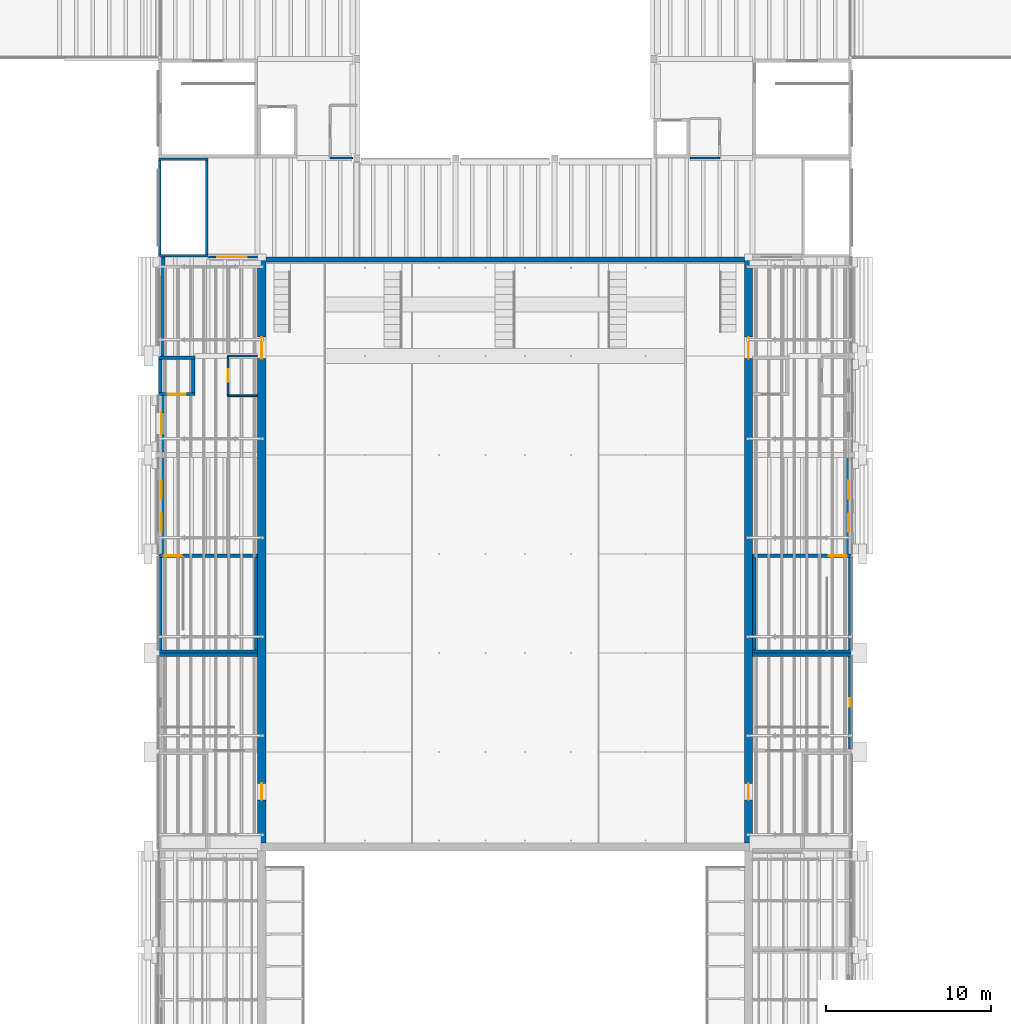
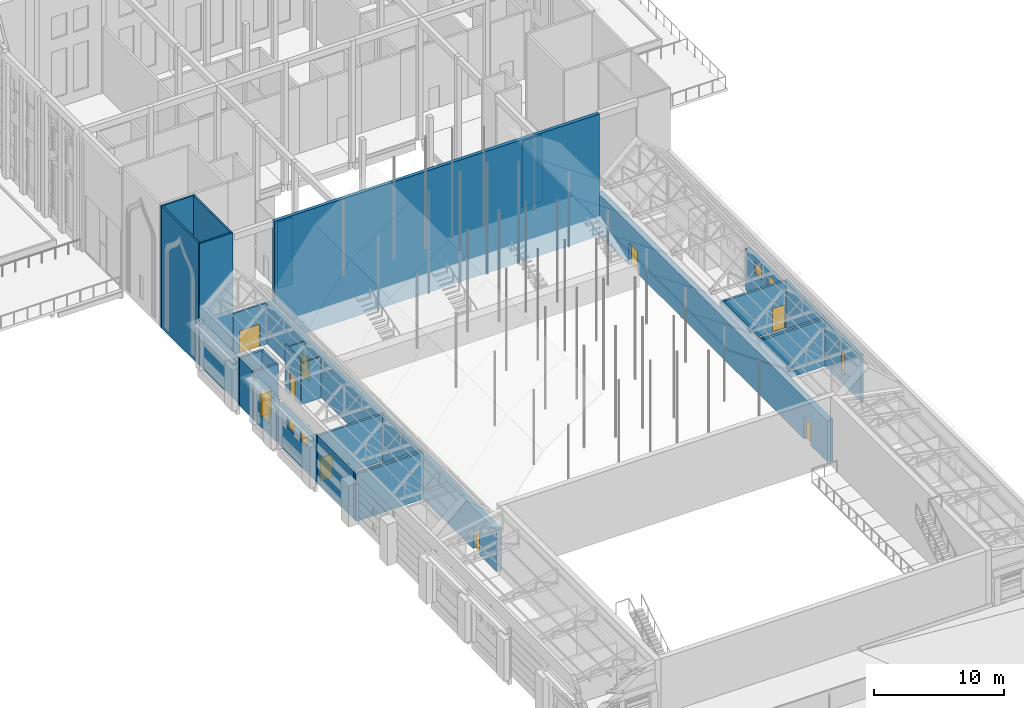
# One storey, part 63 of 118: 32 walls, 9 doors, 6 windows, 15 openings.
"""IFC4 building model written with IfcOpenShell, lengths in metres."""

import ifcopenshell
import ifcopenshell.guid

model = None  # the IFC model being written
_history = None  # IfcOwnerHistory: only IFC2X3 demands one
_inside = {}  # id of a spatial element -> (the spatial element, [elements in it])
_under = {}  # id of a project, library or spatial element -> (it, [spatial elements below it])
_declared = {}  # id of a project -> (the project, [libraries it declares])
_typed = {}  # id of a type object -> (the type object, [elements of that type])
_made_of = {}  # id of a material, layer set ... -> (it, [elements and type objects made of it])


def new_model(schema):
    """Start an empty IFC model of exactly this schema.

    Asked for "IFC4X3", IfcOpenShell would pick the latest addendum, in which some entities
    have other attributes; the version numbers below select the first issue.
    IFC2X3 requires an IfcOwnerHistory on every rooted entity: one is made here for all.
    """
    global model, _history
    if schema == "IFC4X3":
        model = ifcopenshell.file(schema_version=(4, 3, 0, 0))
    else:
        model = ifcopenshell.file(schema=schema)
    _inside.clear()
    _under.clear()
    _declared.clear()
    _typed.clear()
    _made_of.clear()
    _history = None
    if model.schema == "IFC2X3":
        org = make("IfcOrganization", Name="unknown")
        user = make(
            "IfcPersonAndOrganization",
            ThePerson=make("IfcPerson", FamilyName="unknown"),
            TheOrganization=org,
        )
        app = make(
            "IfcApplication",
            ApplicationDeveloper=org,
            Version="unknown",
            ApplicationFullName="unknown",
            ApplicationIdentifier="unknown",
        )
        _history = make(
            "IfcOwnerHistory",
            OwningUser=user,
            OwningApplication=app,
            ChangeAction="ADDED",
            CreationDate=0,
        )
    return model


def make(cls, **values):
    """One entity of the class cls with the attributes given. An attribute that is None is left unset."""
    return model.create_entity(
        cls, **{name: value for name, value in values.items() if value is not None}
    )


def rooted(cls, **values):
    """An entity with a GlobalId (a new one), such as an element, a storey or a relation."""
    return make(cls, GlobalId=ifcopenshell.guid.new(), OwnerHistory=_history, **values)


def si_unit(unit_type, name, prefix=None):
    """IfcSIUnit, for example si_unit("LENGTHUNIT", "METRE", prefix="MILLI")."""
    return make("IfcSIUnit", UnitType=unit_type, Prefix=prefix, Name=name)


def assignment(units):
    """IfcUnitAssignment: the units of a project."""
    return None if units is None else make("IfcUnitAssignment", Units=units)


def point(xyz):
    """IfcCartesianPoint."""
    return None if xyz is None else make("IfcCartesianPoint", Coordinates=xyz)


def direction(xyz):
    """IfcDirection."""
    return None if xyz is None else make("IfcDirection", DirectionRatios=xyz)


def frame(location, z_axis=None, x_axis=None):
    """IfcAxis2Placement3D, a coordinate frame: its origin and axes. An axis left out is left unset."""
    return make(
        "IfcAxis2Placement3D",
        Location=point(location),
        Axis=direction(z_axis),
        RefDirection=direction(x_axis),
    )


def frame_2d(location, x_axis=None):
    """IfcAxis2Placement2D, a coordinate frame in the plane: its origin and x axis."""
    return make(
        "IfcAxis2Placement2D", Location=point(location), RefDirection=direction(x_axis)
    )


def origin():
    """The frame at (0, 0, 0) with its axes left unset."""
    return frame((0.0, 0.0, 0.0))


def place(relative_to, where):
    """IfcLocalPlacement: puts the frame where relative to a parent placement (None: the world)."""
    return make(
        "IfcLocalPlacement", PlacementRelTo=relative_to, RelativePlacement=where
    )


def context(
    kind, dimensions, precision=None, world=None, true_north=None, identifier=None
):
    """IfcGeometricRepresentationContext, for example the 3D "Model" context."""
    return make(
        "IfcGeometricRepresentationContext",
        ContextIdentifier=identifier,
        ContextType=kind,
        CoordinateSpaceDimension=dimensions,
        Precision=precision,
        WorldCoordinateSystem=world,
        TrueNorth=true_north,
    )


def subcontext(parent, identifier, kind, view, scale=None):
    """IfcGeometricRepresentationSubContext, for example "Body" below "Model"."""
    return make(
        "IfcGeometricRepresentationSubContext",
        ContextIdentifier=identifier,
        ContextType=kind,
        ParentContext=parent,
        TargetScale=scale,
        TargetView=view,
    )


def project(units=None, contexts=None):
    """IfcProject with its units and contexts."""
    return rooted(
        "IfcProject",
        Name="project",
        RepresentationContexts=contexts,
        UnitsInContext=assignment(units),
    )


def spatial(cls, under=None, at=None, **own):
    """A site, building, storey or space (cls), placed at a placement, below another one or the project."""
    s = rooted(cls, ObjectPlacement=at, **own)
    if under is not None:
        _under.setdefault(under.id(), (under, []))[1].append(s)
    return s


def profile(cls, at=None, kind="AREA", **sizes):
    """A parametric profile (cls). Its sizes go by their IFC names, for example OverallWidth=200.0."""
    return make(cls, ProfileType=kind, Position=at, **sizes)


def rectangle(**sizes):
    """IfcRectangleProfileDef."""
    return profile("IfcRectangleProfileDef", **sizes)


def extrude(swept, where, along, depth):
    """IfcExtrudedAreaSolid: the profile swept, set in the frame where, extruded along a direction by depth."""
    return make(
        "IfcExtrudedAreaSolid",
        SweptArea=swept,
        Position=where,
        ExtrudedDirection=direction(along),
        Depth=depth,
    )


def shape(context_of_items, identifier, shape_type, items):
    """IfcShapeRepresentation: the items that make up one representation, for example the "Body"."""
    return make(
        "IfcShapeRepresentation",
        ContextOfItems=context_of_items,
        RepresentationIdentifier=identifier,
        RepresentationType=shape_type,
        Items=items,
    )


def material(Name=None, Category=None):
    """IfcMaterial."""
    return make("IfcMaterial", Name=Name, Category=Category)


def layer(
    of_material, thickness, ventilated=None, Name=None, Category=None, Priority=None
):
    """IfcMaterialLayer: one layer of a wall or slab, of a material (None: an air gap)."""
    return make(
        "IfcMaterialLayer",
        Material=of_material,
        LayerThickness=thickness,
        IsVentilated=ventilated,
        Name=Name,
        Category=Category,
        Priority=Priority,
    )


def layer_set(layers, Name=None):
    """IfcMaterialLayerSet."""
    return make("IfcMaterialLayerSet", MaterialLayers=layers, LayerSetName=Name)


def made_of(thing, what):
    """Note that an element or type object is made of a material, layer set ...; save() writes the relation."""
    if what is not None:
        _made_of.setdefault(what.id(), (what, []))[1].append(thing)
    return thing


def type_object(cls, material=None, **own):
    """A type object (cls), such as IfcWallType, which elements share."""
    return made_of(rooted(cls, **own), material)


def element(
    cls,
    number,
    at=None,
    inside=None,
    cuts=None,
    type_object=None,
    material=None,
    context=None,
    identifier="Body",
    shape_type=None,
    held_by="IfcProductDefinitionShape",
    body=None,
    shapes=None,
    **own,
):
    """One element of the class cls, such as IfcWall. Its Tag is "e" and its number.

    at: its placement. inside: the storey or other place that contains it. cuts: it is an
    opening in that element (IfcRelVoidsElement). A single representation is given by context,
    identifier, shape_type and body (its items); several are given by shapes. held_by: the class
    of the entity that holds the representations. save() writes the other relations.
    """
    e = rooted(cls, Tag="e%d" % number, ObjectPlacement=at, **own)
    if body is not None:
        shapes = [shape(context, identifier, shape_type, body)]
    if shapes is not None:
        e.Representation = make(held_by, Representations=shapes)
    if inside is not None:
        _inside.setdefault(inside.id(), (inside, []))[1].append(e)
    if cuts is not None:
        rooted(
            "IfcRelVoidsElement", RelatingBuildingElement=cuts, RelatedOpeningElement=e
        )
    if type_object is not None:
        _typed.setdefault(type_object.id(), (type_object, []))[1].append(e)
    return made_of(e, material)


def fill(opening, filler):
    """IfcRelFillsElement: the door or window that sits in an opening."""
    return rooted(
        "IfcRelFillsElement",
        RelatingOpeningElement=opening,
        RelatedBuildingElement=filler,
    )


def aggregate(whole, parts):
    """IfcRelAggregates: a whole, such as a stair, and the parts it consists of."""
    return rooted("IfcRelAggregates", RelatingObject=whole, RelatedObjects=parts)


def save(model, path):
    """Write the relations noted so far, then the file.

    IfcRelAggregates (storeys below a building ...), IfcRelContainedInSpatialStructure (elements
    in a storey), IfcRelDefinesByType, IfcRelAssociatesMaterial and IfcRelDeclares: one each for
    every whole, place, type object, material and project.
    """
    for whole, parts in _under.values():
        aggregate(whole, parts)
    for where, things in _inside.values():
        rooted(
            "IfcRelContainedInSpatialStructure",
            RelatedElements=things,
            RelatingStructure=where,
        )
    for kind, things in _typed.values():
        rooted("IfcRelDefinesByType", RelatedObjects=things, RelatingType=kind)
    for what, things in _made_of.values():
        rooted("IfcRelAssociatesMaterial", RelatedObjects=things, RelatingMaterial=what)
    for by, libraries in _declared.values():
        rooted("IfcRelDeclares", RelatingContext=by, RelatedDefinitions=libraries)
    model.write(path)


model = new_model("IFC4")

# Units and contexts
model_context = context("Model", 3, precision=1e-05, world=origin(), true_north=direction((0.0, 1.0)))
body_context = subcontext(model_context, "Body", "Model", "MODEL_VIEW")
ifc_project = project(units=[si_unit("LENGTHUNIT", "METRE"), si_unit("AREAUNIT", "SQUARE_METRE"), si_unit("VOLUMEUNIT", "CUBIC_METRE"), si_unit("PLANEANGLEUNIT", "RADIAN"), si_unit("MASSUNIT", "GRAM", prefix="KILO")], contexts=[model_context])

# Site, building, storey
site_placement = place(None, origin())
site = spatial("IfcSite", under=ifc_project, at=site_placement, CompositionType="ELEMENT")
building_placement = place(site_placement, origin())
building = spatial("IfcBuilding", under=site, at=building_placement, Name="Saffron Lane Theatres", CompositionType="ELEMENT")
storey_placement = place(building_placement, frame((0.0, 0.0, 16.5)))
storey = spatial("IfcBuildingStorey", under=building, at=storey_placement, Name="L03", CompositionType="ELEMENT", Elevation=16.5)

# Wall, openings, windows
ifc_material_1 = material(Name="Masonry pale clay brick", Category="masonry")
ifc_layer_1 = layer(ifc_material_1, 0.35009765625)
ifc_layer_set_1 = layer_set([ifc_layer_1], Name="Masonry pale clay brick")
wall_type_1 = type_object("IfcWallType", Name="EX-WALL BRICK 350", PredefinedType="SOLIDWALL", material=ifc_layer_set_1)
wall_1_placement = place(storey_placement, frame((53.824951171875, 77.800048828125, 0.0), z_axis=(0.0, 0.0, 1.0), x_axis=(0.0, -1.0, 0.0)))
wall_1 = element("IfcWall", 1, at=wall_1_placement, inside=storey, type_object=wall_type_1, Name="External wall L03 17", PredefinedType="SOLIDWALL", context=body_context, shape_type="SweptSolid", body=[
    extrude(rectangle(XDim=5.800048828125, YDim=0.35009765625, at=frame_2d((2.89990234375, 0.0))), origin(), (0.0, 0.0, 1.0), 3.89990234375),
])
opening_1_placement = place(wall_1_placement, frame((1.35009765625, 0.0, 2.39990234375)))
opening_1 = element("IfcOpeningElement", 2, at=opening_1_placement, cuts=wall_1, Name="Opening WN03-034", PredefinedType="OPENING", context=body_context, shape_type="SweptSolid", body=[
    extrude(rectangle(XDim=1.10009765625, YDim=1.10009765625, at=frame_2d((0.550048828125, 0.550048828125))), frame((0.0, 0.18505859375, 0.0), z_axis=(0.0, -1.0, 0.0), x_axis=(1.0, 0.0, 0.0)), (0.0, 0.0, 1.0), 0.3701171875),
])
opening_2_placement = place(wall_1_placement, frame((3.35009765625, 0.0, 2.39990234375)))
opening_2 = element("IfcOpeningElement", 3, at=opening_2_placement, cuts=wall_1, Name="Opening WN03-035", PredefinedType="OPENING", context=body_context, shape_type="SweptSolid", body=[
    extrude(rectangle(XDim=1.10009765625, YDim=1.10009765625, at=frame_2d((0.550048828125, 0.550048828125))), frame((0.0, 0.18505859375, 0.0), z_axis=(0.0, -1.0, 0.0), x_axis=(1.0, 0.0, 0.0)), (0.0, 0.0, 1.0), 0.3701171875),
])
ifc_material_2 = material(Name="Aluminium", Category="aluminium")
window_type_1 = type_object("IfcWindowType", Name="EX-WINDOW 1100x1100", PartitioningType="SINGLE_PANEL", PredefinedType="WINDOW", material=ifc_material_2)
window_1_placement = place(opening_1_placement, origin())
window_1 = element("IfcWindow", 4, at=window_1_placement, inside=storey, type_object=window_type_1, Name="Window L03 034", OverallHeight=1.10009765625, OverallWidth=1.10009765625, PartitioningType="SINGLE_PANEL", PredefinedType="WINDOW", context=body_context, shape_type="SweptSolid", body=[
    extrude(rectangle(XDim=1.10009765625, YDim=1.10009765625, at=frame_2d((0.550048828125, 0.550048828125))), frame((0.0, 0.030029296875, 0.0), z_axis=(0.0, -1.0, 0.0), x_axis=(1.0, 0.0, 0.0)), (0.0, 0.0, 1.0), 0.06005859375),
])
fill(opening_1, window_1)
window_2_placement = place(opening_2_placement, origin())
window_2 = element("IfcWindow", 5, at=window_2_placement, inside=storey, type_object=window_type_1, Name="Window L03 035", OverallHeight=1.10009765625, OverallWidth=1.10009765625, PartitioningType="SINGLE_PANEL", PredefinedType="WINDOW", context=body_context, shape_type="SweptSolid", body=[
    extrude(rectangle(XDim=1.10009765625, YDim=1.10009765625, at=frame_2d((0.550048828125, 0.550048828125))), frame((0.0, 0.030029296875, 0.0), z_axis=(0.0, -1.0, 0.0), x_axis=(1.0, 0.0, 0.0)), (0.0, 0.0, 1.0), 0.06005859375),
])
fill(opening_2, window_2)

wall_2_placement = place(storey_placement, frame((12.175048828125, 72.0, 0.0), z_axis=(0.0, 0.0, 1.0), x_axis=(0.0, 1.0, 0.0)))
wall_2 = element("IfcWall", 6, at=wall_2_placement, inside=storey, type_object=wall_type_1, Name="External wall L03 26", PredefinedType="SOLIDWALL", context=body_context, shape_type="SweptSolid", body=[
    extrude(rectangle(XDim=5.800048828125, YDim=0.35009765625, at=frame_2d((2.89990234375, 0.0))), origin(), (0.0, 0.0, 1.0), 3.89990234375),
])
opening_3_placement = place(wall_2_placement, frame((1.35009765625, 0.0, 2.39990234375)))
opening_3 = element("IfcOpeningElement", 7, at=opening_3_placement, cuts=wall_2, Name="Opening WN03-042", PredefinedType="OPENING", context=body_context, shape_type="SweptSolid", body=[
    extrude(rectangle(XDim=1.10009765625, YDim=1.10009765625, at=frame_2d((0.550048828125, 0.550048828125))), frame((0.0, 0.18505859375, 0.0), z_axis=(0.0, -1.0, 0.0), x_axis=(1.0, 0.0, 0.0)), (0.0, 0.0, 1.0), 0.3701171875),
])
opening_4_placement = place(wall_2_placement, frame((3.35009765625, 0.0, 2.39990234375)))
opening_4 = element("IfcOpeningElement", 8, at=opening_4_placement, cuts=wall_2, Name="Opening WN03-043", PredefinedType="OPENING", context=body_context, shape_type="SweptSolid", body=[
    extrude(rectangle(XDim=1.10009765625, YDim=1.10009765625, at=frame_2d((0.550048828125, 0.550048828125))), frame((0.0, 0.18505859375, 0.0), z_axis=(0.0, -1.0, 0.0), x_axis=(1.0, 0.0, 0.0)), (0.0, 0.0, 1.0), 0.3701171875),
])
window_3_placement = place(opening_3_placement, origin())
window_3 = element("IfcWindow", 9, at=window_3_placement, inside=storey, type_object=window_type_1, Name="Window L03 042", OverallHeight=1.10009765625, OverallWidth=1.10009765625, PartitioningType="SINGLE_PANEL", PredefinedType="WINDOW", context=body_context, shape_type="SweptSolid", body=[
    extrude(rectangle(XDim=1.10009765625, YDim=1.10009765625, at=frame_2d((0.550048828125, 0.550048828125))), frame((0.0, 0.030029296875, 0.0), z_axis=(0.0, -1.0, 0.0), x_axis=(1.0, 0.0, 0.0)), (0.0, 0.0, 1.0), 0.06005859375),
])
fill(opening_3, window_3)
window_4_placement = place(opening_4_placement, origin())
window_4 = element("IfcWindow", 10, at=window_4_placement, inside=storey, type_object=window_type_1, Name="Window L03 043", OverallHeight=1.10009765625, OverallWidth=1.10009765625, PartitioningType="SINGLE_PANEL", PredefinedType="WINDOW", context=body_context, shape_type="SweptSolid", body=[
    extrude(rectangle(XDim=1.10009765625, YDim=1.10009765625, at=frame_2d((0.550048828125, 0.550048828125))), frame((0.0, 0.030029296875, 0.0), z_axis=(0.0, -1.0, 0.0), x_axis=(1.0, 0.0, 0.0)), (0.0, 0.0, 1.0), 0.06005859375),
])
fill(opening_4, window_4)

# Wall, opening, window
wall_3_placement = place(storey_placement, frame((12.175048828125, 78.199951171875, 0.0), z_axis=(0.0, 0.0, 1.0), x_axis=(0.0, 1.0, 0.0)))
wall_3 = element("IfcWall", 11, at=wall_3_placement, inside=storey, type_object=wall_type_1, Name="External wall L03 27", PredefinedType="SOLIDWALL", context=body_context, shape_type="SweptSolid", body=[
    extrude(rectangle(XDim=3.400146484375, YDim=0.35009765625, at=frame_2d((1.7001953125, 0.0))), origin(), (0.0, 0.0, 1.0), 3.89990234375),
])
opening_5_placement = place(wall_3_placement, frame((1.02490234375, 0.0, 1.0)))
opening_5 = element("IfcOpeningElement", 12, at=opening_5_placement, cuts=wall_3, Name="Opening WN03-044", PredefinedType="OPENING", context=body_context, shape_type="SweptSolid", body=[
    extrude(rectangle(XDim=1.35009765625, YDim=2.699951171875, at=frame_2d((0.675048828125, 1.35009765625))), frame((0.0, 0.18505859375, 0.0), z_axis=(0.0, -1.0, 0.0), x_axis=(1.0, 0.0, 0.0)), (0.0, 0.0, 1.0), 0.3701171875),
])
ifc_material_3 = material(Name="Aluminium", Category="aluminium")
window_type_2 = type_object("IfcWindowType", Name="EX-WINDOW 1350x2700", PartitioningType="SINGLE_PANEL", PredefinedType="WINDOW", material=ifc_material_3)
window_5_placement = place(opening_5_placement, origin())
window_5 = element("IfcWindow", 13, at=window_5_placement, inside=storey, type_object=window_type_2, Name="Window L03 044", OverallHeight=2.699951171875, OverallWidth=1.35009765625, PartitioningType="SINGLE_PANEL", PredefinedType="WINDOW", context=body_context, shape_type="SweptSolid", body=[
    extrude(rectangle(XDim=1.35009765625, YDim=2.699951171875, at=frame_2d((0.675048828125, 1.35009765625))), frame((0.0, 0.030029296875, 0.0), z_axis=(0.0, -1.0, 0.0), x_axis=(1.0, 0.0, 0.0)), (0.0, 0.0, 1.0), 0.06005859375),
])
fill(opening_5, window_5)

# Walls
wall_4_placement = place(storey_placement, frame((12.22509765625, 84.0, 0.0), z_axis=(0.0, 0.0, 1.0), x_axis=(0.0, 1.0, 0.0)))
element("IfcWall", 14, at=wall_4_placement, inside=storey, type_object=wall_type_1, Name="External wall L03 28", PredefinedType="SOLIDWALL", context=body_context, shape_type="SweptSolid", body=[
    extrude(rectangle(XDim=6.0, YDim=0.35009765625, at=frame_2d((3.0, 0.0))), origin(), (0.0, 0.0, 1.0), 3.89990234375),
])
ifc_material_4 = material(Name="Masonry block partition", Category="masonry")
ifc_layer_2 = layer(ifc_material_4, 0.110107421875)
ifc_layer_set_2 = layer_set([ifc_layer_2], Name="Masonry block partition")
wall_type_2 = type_object("IfcWallType", Name="IN-BLOCK PARTITION 110", PredefinedType="PARTITIONING", material=ifc_layer_set_2)
wall_5_placement = place(storey_placement, frame((16.199951171875, 84.0, 0.0), z_axis=(0.0, 0.0, 1.0), x_axis=(1.0, 0.0, 0.0)))
element("IfcWall", 15, at=wall_5_placement, inside=storey, type_object=wall_type_2, Name="PW-L03-033", PredefinedType="PARTITIONING", context=body_context, shape_type="SweptSolid", body=[
    extrude(rectangle(XDim=1.780029296875, YDim=0.110107421875, at=frame_2d((0.89013671875, 0.0))), origin(), (0.0, 0.0, 1.0), 3.89990234375),
])

# Wall, opening, door
wall_6_placement = place(storey_placement, frame((16.199951171875, 81.60009765625, 0.0), z_axis=(0.0, 0.0, 1.0), x_axis=(0.0, 1.0, 0.0)))
wall_6 = element("IfcWall", 16, at=wall_6_placement, inside=storey, type_object=wall_type_2, Name="PW-L03-034", PredefinedType="PARTITIONING", context=body_context, shape_type="SweptSolid", body=[
    extrude(rectangle(XDim=2.39990234375, YDim=0.110107421875, at=frame_2d((1.199951171875, 0.0))), origin(), (0.0, 0.0, 1.0), 4.280029296875),
])
opening_6_placement = place(wall_6_placement, frame((0.85009765625, 0.0, 0.0)))
opening_6 = element("IfcOpeningElement", 17, at=opening_6_placement, cuts=wall_6, Name="Opening D03-24", PredefinedType="OPENING", context=body_context, shape_type="SweptSolid", body=[
    extrude(rectangle(XDim=0.75, YDim=2.0400390625, at=frame_2d((0.375, 1.02001953125))), frame((0.0, 0.06494140625, 0.0), z_axis=(0.0, -1.0, 0.0), x_axis=(1.0, 0.0, 0.0)), (0.0, 0.0, 1.0), 0.130126953125),
])
ifc_material_5 = material(Name="Steel faced fire door leaf", Category="steel")
door_type_1 = type_object("IfcDoorType", Name="IN-DOOR 750x2040 FD60", OperationType="NOTDEFINED", PredefinedType="DOOR", material=ifc_material_5)
door_1_placement = place(opening_6_placement, frame((0.75, 0.0, 0.0), z_axis=(0.0, 0.0, 1.0), x_axis=(-1.0, 0.0, 0.0)))
door_1 = element("IfcDoor", 18, at=door_1_placement, inside=storey, type_object=door_type_1, Name="D03-24", OperationType="SINGLE_SWING_RIGHT", OverallHeight=2.0400390625, OverallWidth=0.75, PredefinedType="DOOR", context=body_context, shape_type="SweptSolid", body=[
    extrude(rectangle(XDim=0.75, YDim=2.0400390625, at=frame_2d((0.375, 1.02001953125))), frame((0.0, 0.02490234375, 0.0), z_axis=(0.0, -1.0, 0.0), x_axis=(1.0, 0.0, 0.0)), (0.0, 0.0, 1.0), 0.050048828125),
])
fill(opening_6, door_1)

# Walls
wall_7_placement = place(storey_placement, frame((16.199951171875, 81.60009765625, 0.0), z_axis=(0.0, 0.0, 1.0), x_axis=(1.0, 0.0, 0.0)))
element("IfcWall", 19, at=wall_7_placement, inside=storey, type_object=wall_type_2, Name="PW-L03-035", PredefinedType="PARTITIONING", context=body_context, shape_type="SweptSolid", body=[
    extrude(rectangle(XDim=1.780029296875, YDim=0.110107421875, at=frame_2d((0.89013671875, 0.0))), origin(), (0.0, 0.0, 1.0), 3.89990234375),
])
wall_8_placement = place(storey_placement, frame((22.39990234375, 96.0, 0.0), z_axis=(0.0, 0.0, 1.0), x_axis=(1.0, 0.0, 0.0)))
element("IfcWall", 20, at=wall_8_placement, inside=storey, type_object=wall_type_2, Name="PW-L03-043", PredefinedType="PARTITIONING", context=body_context, shape_type="SweptSolid", body=[
    extrude(rectangle(XDim=1.380126953125, YDim=0.110107421875, at=frame_2d((0.68994140625, 0.0))), origin(), (0.0, 0.0, 1.0), 6.280029296875),
])
wall_9_placement = place(storey_placement, frame((44.219970703125, 96.0, 0.0), z_axis=(0.0, 0.0, 1.0), x_axis=(1.0, 0.0, 0.0)))
element("IfcWall", 21, at=wall_9_placement, inside=storey, type_object=wall_type_2, Name="PW-L03-044", PredefinedType="PARTITIONING", context=body_context, shape_type="SweptSolid", body=[
    extrude(rectangle(XDim=1.780029296875, YDim=0.110107421875, at=frame_2d((0.89013671875, 0.0))), origin(), (0.0, 0.0, 1.0), 6.280029296875),
])

# Wall, opening, door
ifc_material_6 = material(Name="Masonry block partition", Category="masonry")
ifc_layer_3 = layer(ifc_material_6, 0.139892578125)
ifc_layer_set_3 = layer_set([ifc_layer_3], Name="Masonry block partition")
wall_type_3 = type_object("IfcWallType", Name="IN-BLOCK PARTITION 140", PredefinedType="PARTITIONING", material=ifc_layer_set_3)
wall_10_placement = place(storey_placement, frame((15.02001953125, 90.0, 0.0), z_axis=(0.0, 0.0, 1.0), x_axis=(1.0, 0.0, 0.0)))
wall_10 = element("IfcWall", 22, at=wall_10_placement, inside=storey, type_object=wall_type_3, Name="PW-L03-047", PredefinedType="PARTITIONING", context=body_context, shape_type="SweptSolid", body=[
    extrude(rectangle(XDim=2.9599609375, YDim=0.139892578125, at=frame_2d((1.47998046875, 0.0))), origin(), (0.0, 0.0, 1.0), 3.89990234375),
])
opening_7_placement = place(wall_10_placement, frame((0.530029296875, 0.0, 0.0)))
opening_7 = element("IfcOpeningElement", 23, at=opening_7_placement, cuts=wall_10, Name="Opening D03-30", PredefinedType="OPENING", context=body_context, shape_type="SweptSolid", body=[
    extrude(rectangle(XDim=1.800048828125, YDim=2.10009765625, at=frame_2d((0.89990234375, 1.050048828125))), frame((0.0, 0.080078125, 0.0), z_axis=(0.0, -1.0, 0.0), x_axis=(1.0, 0.0, 0.0)), (0.0, 0.0, 1.0), 0.159912109375),
])
ifc_material_7 = material(Name="Steel faced fire door leaf", Category="steel")
door_type_2 = type_object("IfcDoorType", Name="IN-DOOR 1800x2100 FD120", OperationType="DOUBLE_DOOR_SINGLE_SWING", PredefinedType="DOOR", material=ifc_material_7)
door_2_placement = place(opening_7_placement, frame((1.800048828125, 0.0, 0.0), z_axis=(0.0, 0.0, 1.0), x_axis=(-1.0, 0.0, 0.0)))
door_2 = element("IfcDoor", 24, at=door_2_placement, inside=storey, type_object=door_type_2, Name="D03-30", OperationType="DOUBLE_DOOR_SINGLE_SWING", OverallHeight=2.10009765625, OverallWidth=1.800048828125, PredefinedType="DOOR", context=body_context, shape_type="SweptSolid", body=[
    extrude(rectangle(XDim=1.800048828125, YDim=2.10009765625, at=frame_2d((0.89990234375, 1.050048828125))), frame((0.0, 0.02490234375, 0.0), z_axis=(0.0, -1.0, 0.0), x_axis=(1.0, 0.0, 0.0)), (0.0, 0.0, 1.0), 0.050048828125),
])
fill(opening_7, door_2)

# Walls
ifc_material_8 = material(Name="Concrete N50 (50 MPa)", Category="concrete")
ifc_layer_4 = layer(ifc_material_8, 0.14990234375)
ifc_layer_set_4 = layer_set([ifc_layer_4], Name="Concrete N50 (50 MPa)")
wall_type_4 = type_object("IfcWallType", Name="RC-CORE 150", PredefinedType="SHEAR", material=ifc_layer_set_4)
for number, where, z_axis, x_axis, name in (
    (25, (12.0, 95.925048828125, 0.0), (0.0, 0.0, 1.0), (1.0, 0.0, 0.0), "W-R1-N-L03"),
    (26, (12.0, 90.074951171875, 0.0), (0.0, 0.0, 1.0), (1.0, 0.0, 0.0), "W-R1-S-L03"),
):
    element("IfcWall", number, at=place(storey_placement, frame(where, z_axis=z_axis, x_axis=x_axis)), inside=storey, type_object=wall_type_4, Name=name, PredefinedType="SHEAR", context=body_context, shape_type="SweptSolid", body=[
        extrude(rectangle(XDim=3.0, YDim=0.14990234375, at=frame_2d((1.5, 0.0))), origin(), (0.0, 0.0, 1.0), 11.5),
    ])
wall_11_placement = place(storey_placement, frame((14.925048828125, 90.14990234375, 0.0), z_axis=(0.0, 0.0, 1.0), x_axis=(0.0, 1.0, 0.0)))
element("IfcWall", 27, at=wall_11_placement, inside=storey, type_object=wall_type_4, Name="W-R1-E-L03", PredefinedType="SHEAR", context=body_context, shape_type="SweptSolid", body=[
    extrude(rectangle(XDim=5.7001953125, YDim=0.14990234375, at=frame_2d((2.85009765625, 0.0))), origin(), (0.0, 0.0, 1.0), 11.5),
])

# Wall, opening, door
ifc_material_9 = material(Name="Concrete N50 (50 MPa)", Category="concrete")
ifc_layer_5 = layer(ifc_material_9, 0.199951171875)
ifc_layer_set_5 = layer_set([ifc_layer_5], Name="Concrete N50 (50 MPa)")
wall_type_5 = type_object("IfcWallType", Name="RC-CORE 200", PredefinedType="SHEAR", material=ifc_layer_set_5)
wall_12_placement = place(storey_placement, frame((12.0, 71.89990234375, 0.0), z_axis=(0.0, 0.0, 1.0), x_axis=(1.0, 0.0, 0.0)))
wall_12 = element("IfcWall", 28, at=wall_12_placement, inside=storey, type_object=wall_type_5, Name="W-ST3-N-L03", PredefinedType="SHEAR", context=body_context, shape_type="SweptSolid", body=[
    extrude(rectangle(XDim=6.0, YDim=0.199951171875, at=frame_2d((3.0, 0.0))), origin(), (0.0, 0.0, 1.0), 4.422119140625),
])
opening_8_placement = place(wall_12_placement, frame((0.300048828125, 0.0, 0.0)))
opening_8 = element("IfcOpeningElement", 29, at=opening_8_placement, cuts=wall_12, Name="Opening D03-14", PredefinedType="OPENING", context=body_context, shape_type="SweptSolid", body=[
    extrude(rectangle(XDim=1.10009765625, YDim=2.199951171875, at=frame_2d((0.550048828125, 1.10009765625))), frame((0.0, 0.10986328125, 0.0), z_axis=(0.0, -1.0, 0.0), x_axis=(1.0, 0.0, 0.0)), (0.0, 0.0, 1.0), 0.219970703125),
])
ifc_material_10 = material(Name="Steel faced fire door leaf", Category="steel")
door_type_3 = type_object("IfcDoorType", Name="IN-DOOR 1100x2200 FD120", OperationType="NOTDEFINED", PredefinedType="DOOR", material=ifc_material_10)
door_3_placement = place(opening_8_placement, frame((1.10009765625, 0.0, 0.0), z_axis=(0.0, 0.0, 1.0), x_axis=(-1.0, 0.0, 0.0)))
door_3 = element("IfcDoor", 30, at=door_3_placement, inside=storey, type_object=door_type_3, Name="D03-14", OperationType="SINGLE_SWING_LEFT", OverallHeight=2.199951171875, OverallWidth=1.10009765625, PredefinedType="DOOR", context=body_context, shape_type="SweptSolid", body=[
    extrude(rectangle(XDim=1.10009765625, YDim=2.199951171875, at=frame_2d((0.550048828125, 1.10009765625))), frame((0.0, 0.02490234375, 0.0), z_axis=(0.0, -1.0, 0.0), x_axis=(1.0, 0.0, 0.0)), (0.0, 0.0, 1.0), 0.050048828125),
])
fill(opening_8, door_3)

# Walls
wall_13_placement = place(storey_placement, frame((12.0, 66.10009765625, 0.0), z_axis=(0.0, 0.0, 1.0), x_axis=(1.0, 0.0, 0.0)))
element("IfcWall", 31, at=wall_13_placement, inside=storey, type_object=wall_type_5, Name="W-ST3-S-L03", PredefinedType="SHEAR", context=body_context, shape_type="SweptSolid", body=[
    extrude(rectangle(XDim=6.0, YDim=0.199951171875, at=frame_2d((3.0, 0.0))), origin(), (0.0, 0.0, 1.0), 4.422119140625),
])
wall_14_placement = place(storey_placement, frame((17.89990234375, 66.199951171875, 0.0), z_axis=(0.0, 0.0, 1.0), x_axis=(0.0, 1.0, 0.0)))
element("IfcWall", 32, at=wall_14_placement, inside=storey, type_object=wall_type_5, Name="W-ST3-E-L03", PredefinedType="SHEAR", context=body_context, shape_type="SweptSolid", body=[
    extrude(rectangle(XDim=5.60009765625, YDim=0.199951171875, at=frame_2d((2.800048828125, 0.0))), origin(), (0.0, 0.0, 1.0), 4.422119140625),
])

# Wall, opening, door
wall_15_placement = place(storey_placement, frame((48.0, 71.89990234375, 0.0), z_axis=(0.0, 0.0, 1.0), x_axis=(1.0, 0.0, 0.0)))
wall_15 = element("IfcWall", 33, at=wall_15_placement, inside=storey, type_object=wall_type_5, Name="W-ST4-N-L03", PredefinedType="SHEAR", context=body_context, shape_type="SweptSolid", body=[
    extrude(rectangle(XDim=6.0, YDim=0.199951171875, at=frame_2d((3.0, 0.0))), origin(), (0.0, 0.0, 1.0), 4.422119140625),
])
opening_9_placement = place(wall_15_placement, frame((4.60009765625, 0.0, 0.0)))
opening_9 = element("IfcOpeningElement", 34, at=opening_9_placement, cuts=wall_15, Name="Opening D03-15", PredefinedType="OPENING", context=body_context, shape_type="SweptSolid", body=[
    extrude(rectangle(XDim=1.10009765625, YDim=2.199951171875, at=frame_2d((0.550048828125, 1.10009765625))), frame((0.0, 0.10986328125, 0.0), z_axis=(0.0, -1.0, 0.0), x_axis=(1.0, 0.0, 0.0)), (0.0, 0.0, 1.0), 0.219970703125),
])
door_4_placement = place(opening_9_placement, frame((1.10009765625, 0.0, 0.0), z_axis=(0.0, 0.0, 1.0), x_axis=(-1.0, 0.0, 0.0)))
door_4 = element("IfcDoor", 35, at=door_4_placement, inside=storey, type_object=door_type_3, Name="D03-15", OperationType="SINGLE_SWING_RIGHT", OverallHeight=2.199951171875, OverallWidth=1.10009765625, PredefinedType="DOOR", context=body_context, shape_type="SweptSolid", body=[
    extrude(rectangle(XDim=1.10009765625, YDim=2.199951171875, at=frame_2d((0.550048828125, 1.10009765625))), frame((0.0, 0.02490234375, 0.0), z_axis=(0.0, -1.0, 0.0), x_axis=(1.0, 0.0, 0.0)), (0.0, 0.0, 1.0), 0.050048828125),
])
fill(opening_9, door_4)

# Walls
wall_16_placement = place(storey_placement, frame((48.0, 66.10009765625, 0.0), z_axis=(0.0, 0.0, 1.0), x_axis=(1.0, 0.0, 0.0)))
element("IfcWall", 36, at=wall_16_placement, inside=storey, type_object=wall_type_5, Name="W-ST4-S-L03", PredefinedType="SHEAR", context=body_context, shape_type="SweptSolid", body=[
    extrude(rectangle(XDim=6.0, YDim=0.199951171875, at=frame_2d((3.0, 0.0))), origin(), (0.0, 0.0, 1.0), 4.422119140625),
])
wall_17_placement = place(storey_placement, frame((48.10009765625, 66.199951171875, 0.0), z_axis=(0.0, 0.0, 1.0), x_axis=(0.0, 1.0, 0.0)))
element("IfcWall", 37, at=wall_17_placement, inside=storey, type_object=wall_type_5, Name="W-ST4-W-L03", PredefinedType="SHEAR", context=body_context, shape_type="SweptSolid", body=[
    extrude(rectangle(XDim=5.60009765625, YDim=0.199951171875, at=frame_2d((2.800048828125, 0.0))), origin(), (0.0, 0.0, 1.0), 4.422119140625),
])
for number, where, z_axis, x_axis, name in (
    (38, (12.0, 65.89990234375, 0.0), (0.0, 0.0, 1.0), (1.0, 0.0, 0.0), "W-ST10-N-L03"),
    (39, (48.0, 65.89990234375, 0.0), (0.0, 0.0, 1.0), (1.0, 0.0, 0.0), "W-ST11-N-L03"),
):
    element("IfcWall", number, at=place(storey_placement, frame(where, z_axis=z_axis, x_axis=x_axis)), inside=storey, type_object=wall_type_5, Name=name, PredefinedType="SHEAR", context=body_context, shape_type="SweptSolid", body=[
        extrude(rectangle(XDim=6.0, YDim=0.199951171875, at=frame_2d((3.0, 0.0))), origin(), (0.0, 0.0, 1.0), 4.422119140625),
    ])
wall_18_placement = place(storey_placement, frame((12.0, 83.89990234375, 0.0), z_axis=(0.0, 0.0, 1.0), x_axis=(1.0, 0.0, 0.0)))
element("IfcWall", 40, at=wall_18_placement, inside=storey, type_object=wall_type_5, Name="W-LC3-N-L03", PredefinedType="SHEAR", context=body_context, shape_type="SweptSolid", body=[
    extrude(rectangle(XDim=2.199951171875, YDim=0.199951171875, at=frame_2d((1.10009765625, 0.0))), origin(), (0.0, 0.0, 1.0), 4.5),
])

# Wall, opening, door
wall_19_placement = place(storey_placement, frame((12.0, 81.699951171875, 0.0), z_axis=(0.0, 0.0, 1.0), x_axis=(1.0, 0.0, 0.0)))
wall_19 = element("IfcWall", 41, at=wall_19_placement, inside=storey, type_object=wall_type_5, Name="W-LC3-S-L03", PredefinedType="SHEAR", context=body_context, shape_type="SweptSolid", body=[
    extrude(rectangle(XDim=2.199951171875, YDim=0.199951171875, at=frame_2d((1.10009765625, 0.0))), origin(), (0.0, 0.0, 1.0), 4.5),
])
opening_10_placement = place(wall_19_placement, frame((0.550048828125, 0.0, 0.0)))
opening_10 = element("IfcOpeningElement", 42, at=opening_10_placement, cuts=wall_19, Name="Opening LD12", PredefinedType="OPENING", context=body_context, shape_type="SweptSolid", body=[
    extrude(rectangle(XDim=1.10009765625, YDim=2.10009765625, at=frame_2d((0.550048828125, 1.050048828125))), frame((0.0, 0.10986328125, 0.0), z_axis=(0.0, -1.0, 0.0), x_axis=(1.0, 0.0, 0.0)), (0.0, 0.0, 1.0), 0.219970703125),
])
ifc_material_11 = material(Name="Stainless steel 316", Category="steel")
door_type_4 = type_object("IfcDoorType", Name="VC-LANDING DOOR 1100x2100", OperationType="DOUBLE_DOOR_SLIDING", PredefinedType="DOOR", material=ifc_material_11)
door_5_placement = place(opening_10_placement, origin())
door_5 = element("IfcDoor", 43, at=door_5_placement, inside=storey, type_object=door_type_4, Name="Landing doors LC3 L03", OperationType="DOUBLE_DOOR_SLIDING", OverallHeight=2.10009765625, OverallWidth=1.10009765625, PredefinedType="DOOR", context=body_context, shape_type="SweptSolid", body=[
    extrude(rectangle(XDim=1.10009765625, YDim=2.10009765625, at=frame_2d((0.550048828125, 1.050048828125))), frame((0.0, 0.02490234375, 0.0), z_axis=(0.0, -1.0, 0.0), x_axis=(1.0, 0.0, 0.0)), (0.0, 0.0, 1.0), 0.050048828125),
])
fill(opening_10, door_5)

# Walls
wall_20_placement = place(storey_placement, frame((14.10009765625, 81.800048828125, 0.0), z_axis=(0.0, 0.0, 1.0), x_axis=(0.0, 1.0, 0.0)))
element("IfcWall", 44, at=wall_20_placement, inside=storey, type_object=wall_type_5, Name="W-LC3-E-L03", PredefinedType="SHEAR", context=body_context, shape_type="SweptSolid", body=[
    extrude(rectangle(XDim=2.0, YDim=0.199951171875, at=frame_2d((1.0, 0.0))), origin(), (0.0, 0.0, 1.0), 4.5),
])
ifc_material_12 = material(Name="Concrete N50 (50 MPa)", Category="concrete")
ifc_layer_6 = layer(ifc_material_12, 0.14990234375)
ifc_layer_set_6 = layer_set([ifc_layer_6], Name="Concrete N50 (50 MPa)")
wall_type_6 = type_object("IfcWallType", Name="RC-CORE EXTERNAL 150", PredefinedType="SHEAR", material=ifc_layer_set_6)
wall_21_placement = place(storey_placement, frame((12.074951171875, 90.14990234375, 0.0), z_axis=(0.0, 0.0, 1.0), x_axis=(0.0, 1.0, 0.0)))
element("IfcWall", 45, at=wall_21_placement, inside=storey, type_object=wall_type_6, Name="W-R1-W-L03", PredefinedType="SHEAR", context=body_context, shape_type="SweptSolid", body=[
    extrude(rectangle(XDim=5.7001953125, YDim=0.14990234375, at=frame_2d((2.85009765625, 0.0))), origin(), (0.0, 0.0, 1.0), 11.5),
])
ifc_material_13 = material(Name="Concrete N50 (50 MPa)", Category="concrete")
ifc_layer_7 = layer(ifc_material_13, 0.199951171875)
ifc_layer_set_7 = layer_set([ifc_layer_7], Name="Concrete N50 (50 MPa)")
wall_type_7 = type_object("IfcWallType", Name="RC-CORE EXTERNAL 200", PredefinedType="SHEAR", material=ifc_layer_set_7)
for number, where, z_axis, x_axis, name in (
    (46, (12.10009765625, 66.199951171875, 0.0), (0.0, 0.0, 1.0), (0.0, 1.0, 0.0), "W-ST3-W-L03"),
    (47, (53.89990234375, 66.199951171875, 0.0), (0.0, 0.0, 1.0), (0.0, 1.0, 0.0), "W-ST4-E-L03"),
):
    element("IfcWall", number, at=place(storey_placement, frame(where, z_axis=z_axis, x_axis=x_axis)), inside=storey, type_object=wall_type_7, Name=name, PredefinedType="SHEAR", context=body_context, shape_type="SweptSolid", body=[
        extrude(rectangle(XDim=5.60009765625, YDim=0.199951171875, at=frame_2d((2.800048828125, 0.0))), origin(), (0.0, 0.0, 1.0), 4.5),
    ])

# Wall, opening, window
wall_22_placement = place(storey_placement, frame((53.89990234375, 60.199951171875, 0.0), z_axis=(0.0, 0.0, 1.0), x_axis=(0.0, 1.0, 0.0)))
wall_22 = element("IfcWall", 48, at=wall_22_placement, inside=storey, type_object=wall_type_7, Name="W-ST11-E-L03", PredefinedType="SHEAR", context=body_context, shape_type="SweptSolid", body=[
    extrude(rectangle(XDim=5.60009765625, YDim=0.199951171875, at=frame_2d((2.800048828125, 0.0))), origin(), (0.0, 0.0, 1.0), 4.5),
])
opening_11_placement = place(wall_22_placement, frame((2.550048828125, 0.0, 0.89990234375)))
opening_11 = element("IfcOpeningElement", 49, at=opening_11_placement, cuts=wall_22, Name="Opening WN03-059", PredefinedType="OPENING", context=body_context, shape_type="SweptSolid", body=[
    extrude(rectangle(XDim=0.5, YDim=2.10009765625, at=frame_2d((0.25, 1.050048828125))), frame((0.0, 0.10986328125, 0.0), z_axis=(0.0, -1.0, 0.0), x_axis=(1.0, 0.0, 0.0)), (0.0, 0.0, 1.0), 0.219970703125),
])
ifc_material_14 = material(Name="Aluminium", Category="aluminium")
window_type_3 = type_object("IfcWindowType", Name="EX-WINDOW 500x2100", PartitioningType="SINGLE_PANEL", PredefinedType="WINDOW", material=ifc_material_14)
window_6_placement = place(opening_11_placement, origin())
window_6 = element("IfcWindow", 50, at=window_6_placement, inside=storey, type_object=window_type_3, Name="Stair light ST11 L03", OverallHeight=2.10009765625, OverallWidth=0.5, PartitioningType="SINGLE_PANEL", PredefinedType="WINDOW", context=body_context, shape_type="SweptSolid", body=[
    extrude(rectangle(XDim=0.5, YDim=2.10009765625, at=frame_2d((0.25, 1.050048828125))), frame((0.0, 0.030029296875, 0.0), z_axis=(0.0, -1.0, 0.0), x_axis=(1.0, 0.0, 0.0)), (0.0, 0.0, 1.0), 0.06005859375),
])
fill(opening_11, window_6)

# Walls
wall_23_placement = place(storey_placement, frame((12.10009765625, 81.800048828125, 0.0), z_axis=(0.0, 0.0, 1.0), x_axis=(0.0, 1.0, 0.0)))
element("IfcWall", 51, at=wall_23_placement, inside=storey, type_object=wall_type_7, Name="W-LC3-W-L03", PredefinedType="SHEAR", context=body_context, shape_type="SweptSolid", body=[
    extrude(rectangle(XDim=2.0, YDim=0.199951171875, at=frame_2d((1.0, 0.0))), origin(), (0.0, 0.0, 1.0), 4.5),
])
ifc_material_15 = material(Name="Concrete N50 (50 MPa)", Category="concrete")
ifc_layer_8 = layer(ifc_material_15, 0.39990234375)
ifc_layer_set_8 = layer_set([ifc_layer_8], Name="Concrete N50 (50 MPa)")
wall_type_8 = type_object("IfcWallType", Name="RC-WALL 400", PredefinedType="SHEAR", material=ifc_layer_set_8)
wall_24_placement = place(storey_placement, frame((18.5, 89.85009765625, 0.0), z_axis=(0.0, 0.0, 1.0), x_axis=(1.0, 0.0, 0.0)))
element("IfcWall", 52, at=wall_24_placement, inside=storey, type_object=wall_type_8, Name="W-REAR-L03", PredefinedType="SHEAR", context=body_context, shape_type="SweptSolid", body=[
    extrude(rectangle(XDim=29.0, YDim=0.300048828125, at=frame_2d((14.5, 0.0))), origin(), (0.0, 0.0, 1.0), 11.5),
])

# Wall, openings, doors
ifc_material_16 = material(Name="Concrete N50 (50 MPa)", Category="concrete")
ifc_layer_9 = layer(ifc_material_16, 0.5)
ifc_layer_set_9 = layer_set([ifc_layer_9], Name="Concrete N50 (50 MPa)")
wall_type_9 = type_object("IfcWallType", Name="RC-WALL 500", PredefinedType="SHEAR", material=ifc_layer_set_9)
wall_25_placement = place(storey_placement, frame((18.25, 54.5, 0.0), z_axis=(0.0, 0.0, 1.0), x_axis=(0.0, 1.0, 0.0)))
wall_25 = element("IfcWall", 53, at=wall_25_placement, inside=storey, type_object=wall_type_9, Name="W-AUDS-W-L03", PredefinedType="SHEAR", context=body_context, shape_type="SweptSolid", body=[
    extrude(rectangle(XDim=35.5, YDim=0.5, at=frame_2d((17.75, 0.0))), origin(), (0.0, 0.0, 1.0), 3.89990234375),
])
opening_12_placement = place(wall_25_placement, frame((29.35009765625, 0.0, 0.0)))
opening_12 = element("IfcOpeningElement", 54, at=opening_12_placement, cuts=wall_25, Name="Opening D03-26", PredefinedType="OPENING", context=body_context, shape_type="SweptSolid", body=[
    extrude(rectangle(XDim=1.300048828125, YDim=2.10009765625, at=frame_2d((0.64990234375, 1.050048828125))), frame((0.0, 0.260009765625, 0.0), z_axis=(0.0, -1.0, 0.0), x_axis=(1.0, 0.0, 0.0)), (0.0, 0.0, 1.0), 0.52001953125),
])
opening_13_placement = place(wall_25_placement, frame((2.60009765625, 0.0, 0.0)))
opening_13 = element("IfcOpeningElement", 55, at=opening_13_placement, cuts=wall_25, Name="Opening D03-28", PredefinedType="OPENING", context=body_context, shape_type="SweptSolid", body=[
    extrude(rectangle(XDim=1.0, YDim=2.10009765625, at=frame_2d((0.5, 1.050048828125))), frame((0.0, 0.260009765625, 0.0), z_axis=(0.0, -1.0, 0.0), x_axis=(1.0, 0.0, 0.0)), (0.0, 0.0, 1.0), 0.52001953125),
])
ifc_material_17 = material(Name="Steel faced fire door leaf", Category="steel")
door_type_5 = type_object("IfcDoorType", Name="IN-DOOR 1000x2100 FD120", OperationType="NOTDEFINED", PredefinedType="DOOR", material=ifc_material_17)
door_6_placement = place(opening_13_placement, origin())
door_6 = element("IfcDoor", 56, at=door_6_placement, inside=storey, type_object=door_type_5, Name="D03-28", OperationType="SINGLE_SWING_LEFT", OverallHeight=2.10009765625, OverallWidth=1.0, PredefinedType="DOOR", context=body_context, shape_type="SweptSolid", body=[
    extrude(rectangle(XDim=1.0, YDim=2.10009765625, at=frame_2d((0.5, 1.050048828125))), frame((0.0, 0.02490234375, 0.0), z_axis=(0.0, -1.0, 0.0), x_axis=(1.0, 0.0, 0.0)), (0.0, 0.0, 1.0), 0.050048828125),
])
fill(opening_13, door_6)
ifc_material_18 = material(Name="Steel faced fire door leaf", Category="steel")
door_type_6 = type_object("IfcDoorType", Name="IN-DOOR 1300x2100 FD120", OperationType="NOTDEFINED", PredefinedType="DOOR", material=ifc_material_18)
door_7_placement = place(opening_12_placement, origin())
door_7 = element("IfcDoor", 57, at=door_7_placement, inside=storey, type_object=door_type_6, Name="D03-26", OperationType="SINGLE_SWING_LEFT", OverallHeight=2.10009765625, OverallWidth=1.300048828125, PredefinedType="DOOR", context=body_context, shape_type="SweptSolid", body=[
    extrude(rectangle(XDim=1.300048828125, YDim=2.10009765625, at=frame_2d((0.64990234375, 1.050048828125))), frame((0.0, 0.02490234375, 0.0), z_axis=(0.0, -1.0, 0.0), x_axis=(1.0, 0.0, 0.0)), (0.0, 0.0, 1.0), 0.050048828125),
])
fill(opening_12, door_7)

wall_26_placement = place(storey_placement, frame((47.75, 54.5, 0.0), z_axis=(0.0, 0.0, 1.0), x_axis=(0.0, 1.0, 0.0)))
wall_26 = element("IfcWall", 58, at=wall_26_placement, inside=storey, type_object=wall_type_9, Name="W-AUDS-E-L03", PredefinedType="SHEAR", context=body_context, shape_type="SweptSolid", body=[
    extrude(rectangle(XDim=35.5, YDim=0.5, at=frame_2d((17.75, 0.0))), origin(), (0.0, 0.0, 1.0), 3.89990234375),
])
opening_14_placement = place(wall_26_placement, frame((29.35009765625, 0.0, 0.0)))
opening_14 = element("IfcOpeningElement", 59, at=opening_14_placement, cuts=wall_26, Name="Opening D03-27", PredefinedType="OPENING", context=body_context, shape_type="SweptSolid", body=[
    extrude(rectangle(XDim=1.300048828125, YDim=2.10009765625, at=frame_2d((0.64990234375, 1.050048828125))), frame((0.0, 0.260009765625, 0.0), z_axis=(0.0, -1.0, 0.0), x_axis=(1.0, 0.0, 0.0)), (0.0, 0.0, 1.0), 0.52001953125),
])
opening_15_placement = place(wall_26_placement, frame((2.60009765625, 0.0, 0.0)))
opening_15 = element("IfcOpeningElement", 60, at=opening_15_placement, cuts=wall_26, Name="Opening D03-29", PredefinedType="OPENING", context=body_context, shape_type="SweptSolid", body=[
    extrude(rectangle(XDim=1.0, YDim=2.10009765625, at=frame_2d((0.5, 1.050048828125))), frame((0.0, 0.260009765625, 0.0), z_axis=(0.0, -1.0, 0.0), x_axis=(1.0, 0.0, 0.0)), (0.0, 0.0, 1.0), 0.52001953125),
])
door_8_placement = place(opening_15_placement, frame((1.0, 0.0, 0.0), z_axis=(0.0, 0.0, 1.0), x_axis=(-1.0, 0.0, 0.0)))
door_8 = element("IfcDoor", 61, at=door_8_placement, inside=storey, type_object=door_type_5, Name="D03-29", OperationType="SINGLE_SWING_RIGHT", OverallHeight=2.10009765625, OverallWidth=1.0, PredefinedType="DOOR", context=body_context, shape_type="SweptSolid", body=[
    extrude(rectangle(XDim=1.0, YDim=2.10009765625, at=frame_2d((0.5, 1.050048828125))), frame((0.0, 0.02490234375, 0.0), z_axis=(0.0, -1.0, 0.0), x_axis=(1.0, 0.0, 0.0)), (0.0, 0.0, 1.0), 0.050048828125),
])
fill(opening_15, door_8)
door_9_placement = place(opening_14_placement, frame((1.300048828125, 0.0, 0.0), z_axis=(0.0, 0.0, 1.0), x_axis=(-1.0, 0.0, 0.0)))
door_9 = element("IfcDoor", 62, at=door_9_placement, inside=storey, type_object=door_type_6, Name="D03-27", OperationType="SINGLE_SWING_RIGHT", OverallHeight=2.10009765625, OverallWidth=1.300048828125, PredefinedType="DOOR", context=body_context, shape_type="SweptSolid", body=[
    extrude(rectangle(XDim=1.300048828125, YDim=2.10009765625, at=frame_2d((0.64990234375, 1.050048828125))), frame((0.0, 0.02490234375, 0.0), z_axis=(0.0, -1.0, 0.0), x_axis=(1.0, 0.0, 0.0)), (0.0, 0.0, 1.0), 0.050048828125),
])
fill(opening_14, door_9)

save(model, "model.ifc")
